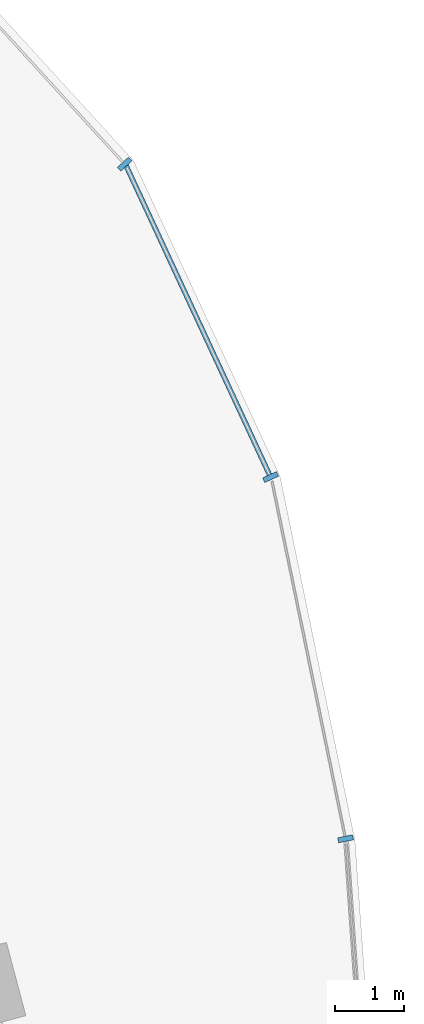
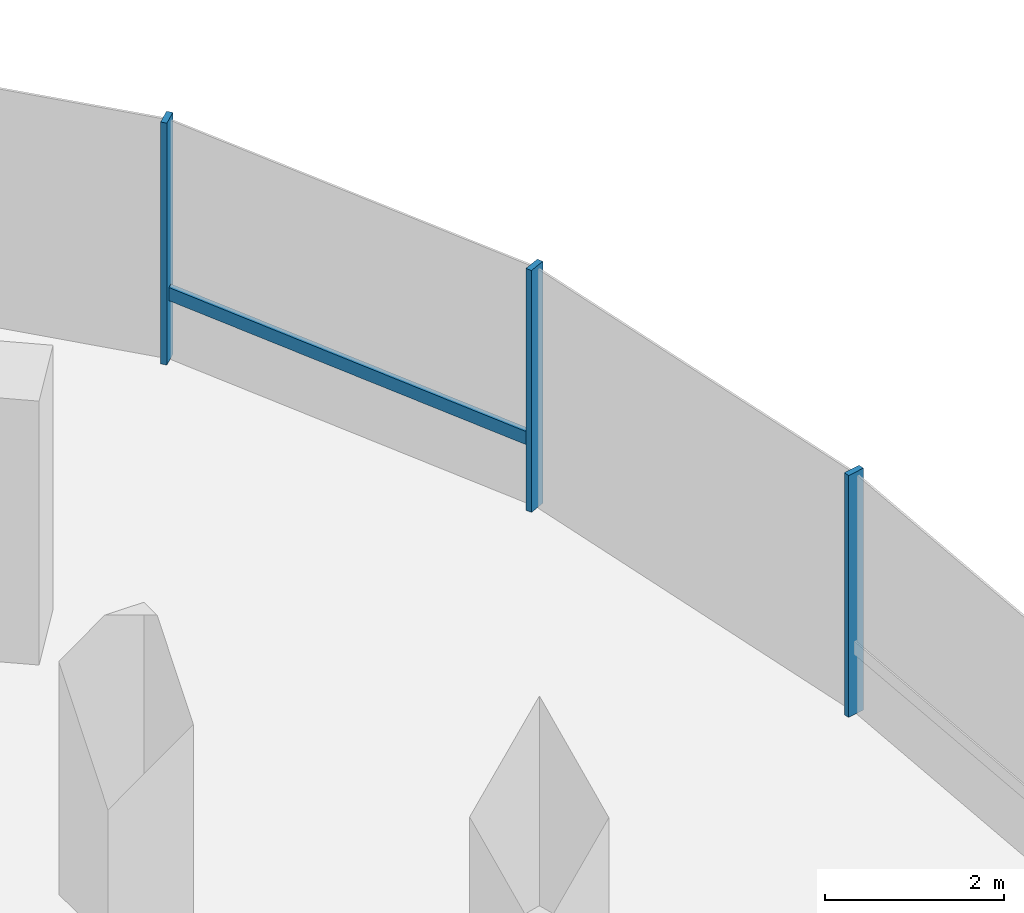
# One storey, part 8 of 21: 4 members, 1 element without a shape of its own.
"""IFC4 building model written with IfcOpenShell, lengths in metres."""

from ifc_helpers import new_model, si_unit, direction, frame, origin, origin_2d, place, context, subcontext, project, spatial, rectangle, extrude, material, material_profile, profile_set, type_object, element, aggregate, save


model = new_model("IFC4")

# Units and contexts
model_context = context("Model", 3, precision=1e-05, world=origin(), true_north=direction((0.0, 1.0)))
body_context = subcontext(model_context, "Body", "Model", "MODEL_VIEW")
ifc_project = project(units=[si_unit("LENGTHUNIT", "METRE"), si_unit("AREAUNIT", "SQUARE_METRE"), si_unit("VOLUMEUNIT", "CUBIC_METRE"), si_unit("PLANEANGLEUNIT", "RADIAN"), si_unit("MASSUNIT", "GRAM", prefix="KILO"), si_unit("THERMODYNAMICTEMPERATUREUNIT", "KELVIN"), si_unit("POWERUNIT", "WATT")], contexts=[model_context])

# Site, building, storey
site_placement = place(None, origin())
site = spatial("IfcSite", under=ifc_project, at=site_placement, CompositionType="ELEMENT")
building_placement = place(site_placement, origin())
building = spatial("IfcBuilding", under=site, at=building_placement, Name="Cundina Bronze Exchange", CompositionType="ELEMENT")
storey_placement = place(building_placement, frame((0.0, 0.0, 85.39990234375)))
storey = spatial("IfcBuildingStorey", under=building, at=storey_placement, Name="L21", CompositionType="ELEMENT", Elevation=85.39990234375)

# Curtain wall, members
ifc_material = material(Name="Anodised Bronze Aluminium 6063-T6", Category="aluminium")
curtain_wall_type = type_object("IfcCurtainWallType", Name="CWS-TRD-MID", PredefinedType="NOTDEFINED", material=ifc_material)
curtain_wall_placement = place(storey_placement, origin())
curtain_wall = element("IfcCurtainWall", 1, at=curtain_wall_placement, inside=storey, type_object=curtain_wall_type, Name="L21 CW-03 Curtain Wall Run CWR-L21-E1", PredefinedType="NOTDEFINED")
ifc_material_profile_1 = material_profile(ifc_material, rectangle(XDim=0.074951171875, YDim=0.219970703125, at=origin_2d()), Name="AL75X220", Category="aluminium")
ifc_profile_set_1 = profile_set([ifc_material_profile_1], Name="Anodised Bronze Aluminium 6063-T6")
member_type_1 = type_object("IfcMemberType", Name="CWM-MUL-220", PredefinedType="MULLION", material=ifc_profile_set_1)
member_1_placement = place(storey_placement, frame((50.717041015625, 8.67822265625, 0.0), z_axis=(0.0, 0.0, 1.0), x_axis=(-0.201419845156, 0.979505000486, 0.0)))
member_1 = element("IfcMember", 2, at=member_1_placement, type_object=member_type_1, Name="CW-03 Mullion 2", PredefinedType="MULLION", context=body_context, shape_type="SweptSolid", body=[
    extrude(rectangle(XDim=0.074951171875, YDim=0.219970703125, at=origin_2d()), origin(), (0.0, 0.0, 1.0), 3.300048828125),
])
member_2_placement = place(storey_placement, frame((49.6279296875, 13.931884765625, 0.0), z_axis=(0.0, 0.0, 1.0), x_axis=(-0.42087749791, 0.907117485088, 0.0)))
member_2 = element("IfcMember", 3, at=member_2_placement, type_object=member_type_1, Name="CW-03 Mullion 3", PredefinedType="MULLION", context=body_context, shape_type="SweptSolid", body=[
    extrude(rectangle(XDim=0.074951171875, YDim=0.219970703125, at=origin_2d()), origin(), (0.0, 0.0, 1.0), 3.300048828125),
])
member_3_placement = place(storey_placement, frame((47.508544921875, 18.47705078125, 0.0), z_axis=(0.0, 0.0, 1.0), x_axis=(-0.674302387584, 0.738455340626, 0.0)))
member_3 = element("IfcMember", 4, at=member_3_placement, type_object=member_type_1, Name="CW-03 Mullion 4", PredefinedType="MULLION", context=body_context, shape_type="SweptSolid", body=[
    extrude(rectangle(XDim=0.074951171875, YDim=0.219970703125, at=origin_2d()), origin(), (0.0, 0.0, 1.0), 3.300048828125),
])
ifc_material_profile_2 = material_profile(ifc_material, rectangle(XDim=0.070068359375, YDim=0.179931640625, at=origin_2d()), Name="AL70X180", Category="aluminium")
ifc_profile_set_2 = profile_set([ifc_material_profile_2], Name="Anodised Bronze Aluminium 6063-T6")
member_type_2 = type_object("IfcMemberType", Name="CWM-TRN-180", PredefinedType="USERDEFINED", material=ifc_profile_set_2)
member_4_placement = place(storey_placement, frame((49.610595703125, 13.96923828125, 0.920166015625), z_axis=(-0.420811422796, 0.907148139195, 0.0), x_axis=(-0.907148139195, -0.420811422796, 0.0)))
member_4 = element("IfcMember", 5, at=member_4_placement, type_object=member_type_2, Name="CW-03 Spandrel Transom 3", ObjectType="TRANSOM", PredefinedType="USERDEFINED", context=body_context, shape_type="SweptSolid", body=[
    extrude(rectangle(XDim=0.070068359375, YDim=0.179931640625, at=origin_2d()), origin(), (0.0, 0.0, 1.0), 4.95166015625),
])
aggregate(curtain_wall, [member_1, member_2, member_4, member_3])

save(model, "model.ifc")
